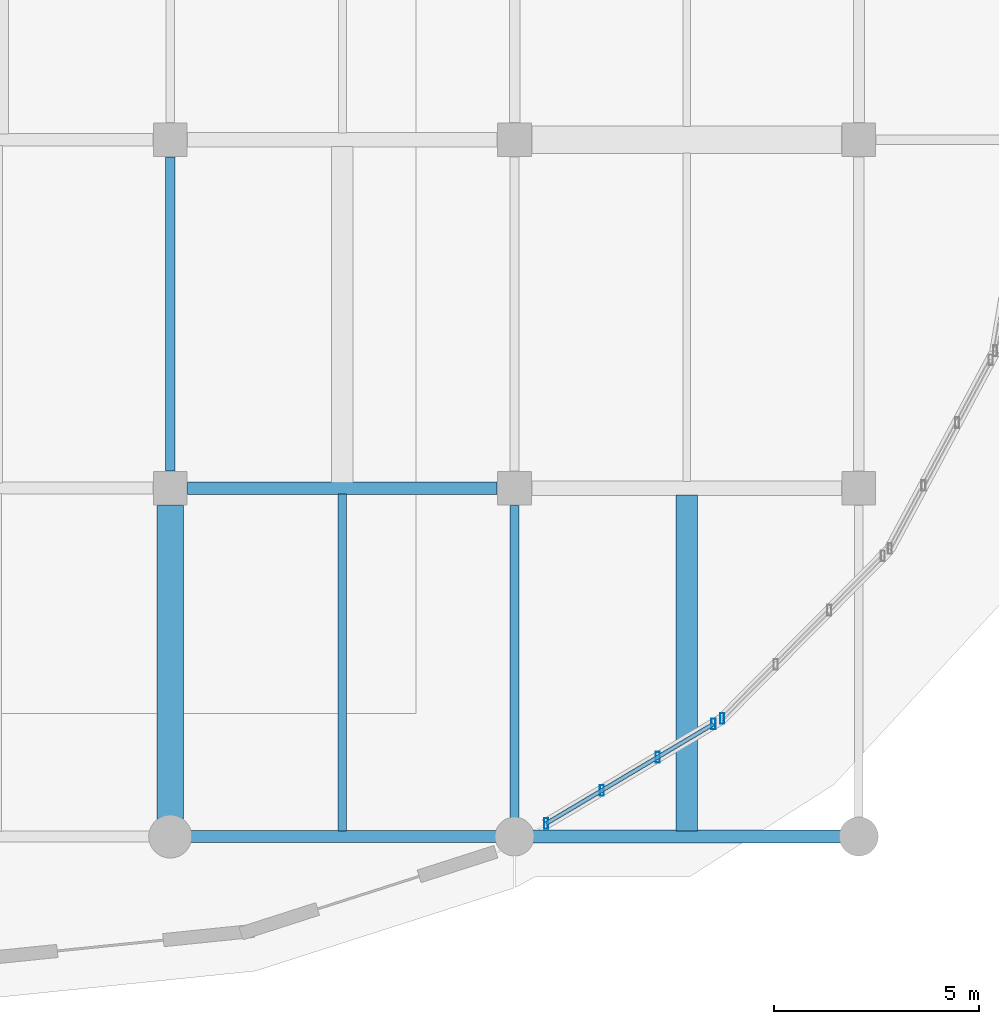
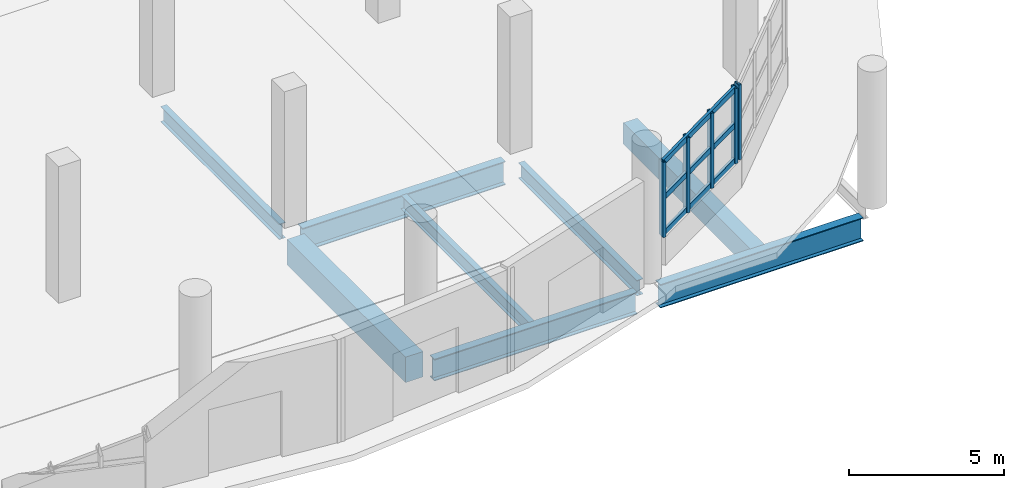
# One storey, part 13 of 107: 8 beams, 8 members, 2 elements without a shape of their own.
"""IFC4 building model written with IfcOpenShell, lengths in metres."""

import ifcopenshell
import ifcopenshell.guid

model = None  # the IFC model being written
_history = None  # IfcOwnerHistory: only IFC2X3 demands one
_inside = {}  # id of a spatial element -> (the spatial element, [elements in it])
_under = {}  # id of a project, library or spatial element -> (it, [spatial elements below it])
_declared = {}  # id of a project -> (the project, [libraries it declares])
_typed = {}  # id of a type object -> (the type object, [elements of that type])
_made_of = {}  # id of a material, layer set ... -> (it, [elements and type objects made of it])


def new_model(schema):
    """Start an empty IFC model of exactly this schema.

    Asked for "IFC4X3", IfcOpenShell would pick the latest addendum, in which some entities
    have other attributes; the version numbers below select the first issue.
    IFC2X3 requires an IfcOwnerHistory on every rooted entity: one is made here for all.
    """
    global model, _history
    if schema == "IFC4X3":
        model = ifcopenshell.file(schema_version=(4, 3, 0, 0))
    else:
        model = ifcopenshell.file(schema=schema)
    _inside.clear()
    _under.clear()
    _declared.clear()
    _typed.clear()
    _made_of.clear()
    _history = None
    if model.schema == "IFC2X3":
        org = make("IfcOrganization", Name="unknown")
        user = make(
            "IfcPersonAndOrganization",
            ThePerson=make("IfcPerson", FamilyName="unknown"),
            TheOrganization=org,
        )
        app = make(
            "IfcApplication",
            ApplicationDeveloper=org,
            Version="unknown",
            ApplicationFullName="unknown",
            ApplicationIdentifier="unknown",
        )
        _history = make(
            "IfcOwnerHistory",
            OwningUser=user,
            OwningApplication=app,
            ChangeAction="ADDED",
            CreationDate=0,
        )
    return model


def make(cls, **values):
    """One entity of the class cls with the attributes given. An attribute that is None is left unset."""
    return model.create_entity(
        cls, **{name: value for name, value in values.items() if value is not None}
    )


def rooted(cls, **values):
    """An entity with a GlobalId (a new one), such as an element, a storey or a relation."""
    return make(cls, GlobalId=ifcopenshell.guid.new(), OwnerHistory=_history, **values)


def si_unit(unit_type, name, prefix=None):
    """IfcSIUnit, for example si_unit("LENGTHUNIT", "METRE", prefix="MILLI")."""
    return make("IfcSIUnit", UnitType=unit_type, Prefix=prefix, Name=name)


def assignment(units):
    """IfcUnitAssignment: the units of a project."""
    return None if units is None else make("IfcUnitAssignment", Units=units)


def point(xyz):
    """IfcCartesianPoint."""
    return None if xyz is None else make("IfcCartesianPoint", Coordinates=xyz)


def direction(xyz):
    """IfcDirection."""
    return None if xyz is None else make("IfcDirection", DirectionRatios=xyz)


def frame(location, z_axis=None, x_axis=None):
    """IfcAxis2Placement3D, a coordinate frame: its origin and axes. An axis left out is left unset."""
    return make(
        "IfcAxis2Placement3D",
        Location=point(location),
        Axis=direction(z_axis),
        RefDirection=direction(x_axis),
    )


def frame_2d(location, x_axis=None):
    """IfcAxis2Placement2D, a coordinate frame in the plane: its origin and x axis."""
    return make(
        "IfcAxis2Placement2D", Location=point(location), RefDirection=direction(x_axis)
    )


def origin():
    """The frame at (0, 0, 0) with its axes left unset."""
    return frame((0.0, 0.0, 0.0))


def origin_2d():
    """The frame at (0, 0) in the plane with its x axis left unset."""
    return frame_2d((0.0, 0.0))


def place(relative_to, where):
    """IfcLocalPlacement: puts the frame where relative to a parent placement (None: the world)."""
    return make(
        "IfcLocalPlacement", PlacementRelTo=relative_to, RelativePlacement=where
    )


def context(
    kind, dimensions, precision=None, world=None, true_north=None, identifier=None
):
    """IfcGeometricRepresentationContext, for example the 3D "Model" context."""
    return make(
        "IfcGeometricRepresentationContext",
        ContextIdentifier=identifier,
        ContextType=kind,
        CoordinateSpaceDimension=dimensions,
        Precision=precision,
        WorldCoordinateSystem=world,
        TrueNorth=true_north,
    )


def subcontext(parent, identifier, kind, view, scale=None):
    """IfcGeometricRepresentationSubContext, for example "Body" below "Model"."""
    return make(
        "IfcGeometricRepresentationSubContext",
        ContextIdentifier=identifier,
        ContextType=kind,
        ParentContext=parent,
        TargetScale=scale,
        TargetView=view,
    )


def project(units=None, contexts=None):
    """IfcProject with its units and contexts."""
    return rooted(
        "IfcProject",
        Name="project",
        RepresentationContexts=contexts,
        UnitsInContext=assignment(units),
    )


def spatial(cls, under=None, at=None, **own):
    """A site, building, storey or space (cls), placed at a placement, below another one or the project."""
    s = rooted(cls, ObjectPlacement=at, **own)
    if under is not None:
        _under.setdefault(under.id(), (under, []))[1].append(s)
    return s


def profile(cls, at=None, kind="AREA", **sizes):
    """A parametric profile (cls). Its sizes go by their IFC names, for example OverallWidth=200.0."""
    return make(cls, ProfileType=kind, Position=at, **sizes)


def rectangle(**sizes):
    """IfcRectangleProfileDef."""
    return profile("IfcRectangleProfileDef", **sizes)


def hollow_rectangle(**sizes):
    """IfcRectangleHollowProfileDef."""
    return profile("IfcRectangleHollowProfileDef", **sizes)


def i_section(**sizes):
    """IfcIShapeProfileDef."""
    return profile("IfcIShapeProfileDef", **sizes)


def extrude(swept, where, along, depth):
    """IfcExtrudedAreaSolid: the profile swept, set in the frame where, extruded along a direction by depth."""
    return make(
        "IfcExtrudedAreaSolid",
        SweptArea=swept,
        Position=where,
        ExtrudedDirection=direction(along),
        Depth=depth,
    )


def shape(context_of_items, identifier, shape_type, items):
    """IfcShapeRepresentation: the items that make up one representation, for example the "Body"."""
    return make(
        "IfcShapeRepresentation",
        ContextOfItems=context_of_items,
        RepresentationIdentifier=identifier,
        RepresentationType=shape_type,
        Items=items,
    )


def material(Name=None, Category=None):
    """IfcMaterial."""
    return make("IfcMaterial", Name=Name, Category=Category)


def material_profile(
    of_material, cross_section, Name=None, Category=None, Priority=None
):
    """IfcMaterialProfile: a cross section and its material."""
    return make(
        "IfcMaterialProfile",
        Name=Name,
        Material=of_material,
        Profile=cross_section,
        Priority=Priority,
        Category=Category,
    )


def profile_set(profiles, Name=None, composite=None):
    """IfcMaterialProfileSet."""
    return make(
        "IfcMaterialProfileSet",
        Name=Name,
        MaterialProfiles=profiles,
        CompositeProfile=composite,
    )


def made_of(thing, what):
    """Note that an element or type object is made of a material, layer set ...; save() writes the relation."""
    if what is not None:
        _made_of.setdefault(what.id(), (what, []))[1].append(thing)
    return thing


def type_object(cls, material=None, **own):
    """A type object (cls), such as IfcWallType, which elements share."""
    return made_of(rooted(cls, **own), material)


def element(
    cls,
    number,
    at=None,
    inside=None,
    cuts=None,
    type_object=None,
    material=None,
    context=None,
    identifier="Body",
    shape_type=None,
    held_by="IfcProductDefinitionShape",
    body=None,
    shapes=None,
    **own,
):
    """One element of the class cls, such as IfcWall. Its Tag is "e" and its number.

    at: its placement. inside: the storey or other place that contains it. cuts: it is an
    opening in that element (IfcRelVoidsElement). A single representation is given by context,
    identifier, shape_type and body (its items); several are given by shapes. held_by: the class
    of the entity that holds the representations. save() writes the other relations.
    """
    e = rooted(cls, Tag="e%d" % number, ObjectPlacement=at, **own)
    if body is not None:
        shapes = [shape(context, identifier, shape_type, body)]
    if shapes is not None:
        e.Representation = make(held_by, Representations=shapes)
    if inside is not None:
        _inside.setdefault(inside.id(), (inside, []))[1].append(e)
    if cuts is not None:
        rooted(
            "IfcRelVoidsElement", RelatingBuildingElement=cuts, RelatedOpeningElement=e
        )
    if type_object is not None:
        _typed.setdefault(type_object.id(), (type_object, []))[1].append(e)
    return made_of(e, material)


def aggregate(whole, parts):
    """IfcRelAggregates: a whole, such as a stair, and the parts it consists of."""
    return rooted("IfcRelAggregates", RelatingObject=whole, RelatedObjects=parts)


def save(model, path):
    """Write the relations noted so far, then the file.

    IfcRelAggregates (storeys below a building ...), IfcRelContainedInSpatialStructure (elements
    in a storey), IfcRelDefinesByType, IfcRelAssociatesMaterial and IfcRelDeclares: one each for
    every whole, place, type object, material and project.
    """
    for whole, parts in _under.values():
        aggregate(whole, parts)
    for where, things in _inside.values():
        rooted(
            "IfcRelContainedInSpatialStructure",
            RelatedElements=things,
            RelatingStructure=where,
        )
    for kind, things in _typed.values():
        rooted("IfcRelDefinesByType", RelatedObjects=things, RelatingType=kind)
    for what, things in _made_of.values():
        rooted("IfcRelAssociatesMaterial", RelatedObjects=things, RelatingMaterial=what)
    for by, libraries in _declared.values():
        rooted("IfcRelDeclares", RelatingContext=by, RelatedDefinitions=libraries)
    model.write(path)


model = new_model("IFC4")

# Units and contexts
model_context = context("Model", 3, precision=1e-05, world=origin(), true_north=direction((0.0, 1.0)))
body_context = subcontext(model_context, "Body", "Model", "MODEL_VIEW")
ifc_project = project(units=[si_unit("LENGTHUNIT", "METRE"), si_unit("AREAUNIT", "SQUARE_METRE"), si_unit("VOLUMEUNIT", "CUBIC_METRE"), si_unit("PLANEANGLEUNIT", "RADIAN"), si_unit("MASSUNIT", "GRAM", prefix="KILO")], contexts=[model_context])

# Site, building, storey
site_placement = place(None, origin())
site = spatial("IfcSite", under=ifc_project, at=site_placement, CompositionType="ELEMENT")
building_placement = place(site_placement, origin())
building = spatial("IfcBuilding", under=site, at=building_placement, Name="Solvento Point Concert Hall", CompositionType="ELEMENT")
storey_placement = place(building_placement, origin())
storey = spatial("IfcBuildingStorey", under=building, at=storey_placement, Name="L00", CompositionType="ELEMENT", Elevation=0.0)

# Beams
ifc_material_1 = material(Name="Concrete C35/45", Category="concrete")
ifc_material_profile_1 = material_profile(ifc_material_1, rectangle(XDim=0.52001953125, YDim=0.840087890625, at=origin_2d()), Name="RC-BM-520X840")
ifc_profile_set_1 = profile_set([ifc_material_profile_1], Name="Concrete C35/45")
beam_type_1 = type_object("IfcBeamType", Name="Beam_RC_520x840", PredefinedType="BEAM", material=ifc_profile_set_1)
beam_1_placement = place(storey_placement, frame((78.60009765625, 17.138671875, -0.833984375), z_axis=(0.0, 1.0, 0.0), x_axis=(-1.0, 0.0, 0.0)))
element("IfcBeam", 1, at=beam_1_placement, inside=storey, type_object=beam_type_1, Name="Secondary floor joist B-54 L00", PredefinedType="BEAM", context=body_context, shape_type="SweptSolid", body=[
    extrude(rectangle(XDim=0.52001953125, YDim=0.840087890625, at=origin_2d()), origin(), (0.0, 0.0, 1.0), 8.19580078125),
])
ifc_material_2 = material(Name="Structural Steel ASTM A992 Grade 50", Category="steel")
ifc_material_profile_2 = material_profile(ifc_material_2, i_section(OverallWidth=0.20947265625, OverallDepth=0.532958984375, WebThickness=0.01025390625, FlangeThickness=0.015625, at=origin_2d()), Name="W21X62")
ifc_profile_set_2 = profile_set([ifc_material_profile_2], Name="Structural Steel ASTM A992 Grade 50")
beam_type_2 = type_object("IfcBeamType", Name="Beam_W21X62", PredefinedType="BEAM", material=ifc_profile_set_2)
beam_2_placement = place(storey_placement, frame((70.199951171875, 17.131103515625, -0.680419921875), z_axis=(0.0, 1.0, 0.0), x_axis=(-1.0, 0.0, 0.0)))
element("IfcBeam", 2, at=beam_2_placement, inside=storey, type_object=beam_type_2, Name="Secondary floor joist B-25 L00", PredefinedType="BEAM", context=body_context, shape_type="SweptSolid", body=[
    extrude(i_section(OverallWidth=0.20947265625, OverallDepth=0.532958984375, WebThickness=0.01025390625, FlangeThickness=0.015625, at=origin_2d()), origin(), (0.0, 0.0, 1.0), 8.230224609375),
])
ifc_material_3 = material(Name="Structural Steel ASTM A992 Grade 50", Category="steel")
ifc_material_profile_3 = material_profile(ifc_material_3, i_section(OverallWidth=0.228515625, OverallDepth=0.60791015625, WebThickness=0.01123046875, FlangeThickness=0.017333984375, at=origin_2d()), Name="W24X76")
ifc_profile_set_3 = profile_set([ifc_material_profile_3], Name="Structural Steel ASTM A992 Grade 50")
beam_type_3 = type_object("IfcBeamType", Name="Beam_W24X76", PredefinedType="BEAM", material=ifc_profile_set_3)
for number, where, z_axis, x_axis, name in (
    (3, (66.0, 25.924072265625, -0.718017578125), (0.0, 1.0, 0.0), (-1.0, 0.0, 0.0), "Primary girder B-42 L00"),
    (4, (74.39990234375, 17.424072265625, -0.718017578125), (0.0, 1.0, 0.0), (-1.0, 0.0, 0.0), "Primary girder B-42 L00"),
):
    element("IfcBeam", number, at=place(storey_placement, frame(where, z_axis=z_axis, x_axis=x_axis)), inside=storey, type_object=beam_type_3, Name=name, PredefinedType="BEAM", context=body_context, shape_type="SweptSolid", body=[
        extrude(i_section(OverallWidth=0.228515625, OverallDepth=0.60791015625, WebThickness=0.01123046875, FlangeThickness=0.017333984375, at=origin_2d()), origin(), (0.0, 0.0, 1.0), 7.65185546875),
    ])
ifc_material_4 = material(Name="Concrete C35/45", Category="concrete")
ifc_material_profile_4 = material_profile(ifc_material_4, rectangle(XDim=0.64990234375, YDim=1.0, at=origin_2d()), Name="RC-BM-650X1000")
ifc_profile_set_4 = profile_set([ifc_material_profile_4], Name="Concrete C35/45")
beam_type_4 = type_object("IfcBeamType", Name="Girder_RC_650x1000", PredefinedType="USERDEFINED", material=ifc_profile_set_4)
beam_3_placement = place(storey_placement, frame((66.0, 17.424072265625, -0.9140625), z_axis=(0.0, 1.0, 0.0), x_axis=(-1.0, 0.0, 0.0)))
element("IfcBeam", 5, at=beam_3_placement, inside=storey, type_object=beam_type_4, Name="Primary girder B-67 L00", ObjectType="GIRDER", PredefinedType="USERDEFINED", context=body_context, shape_type="SweptSolid", body=[
    extrude(rectangle(XDim=0.64990234375, YDim=1.0, at=origin_2d()), origin(), (0.0, 0.0, 1.0), 7.65185546875),
])
ifc_material_5 = material(Name="Structural Steel ASTM A992 Grade 50", Category="steel")
ifc_material_profile_5 = material_profile(ifc_material_5, i_section(OverallWidth=0.2919921875, OverallDepth=0.85888671875, WebThickness=0.01708984375, FlangeThickness=0.031005859375, at=origin_2d()), Name="W33X169")
ifc_profile_set_5 = profile_set([ifc_material_profile_5], Name="Structural Steel ASTM A992 Grade 50")
beam_type_5 = type_object("IfcBeamType", Name="Girder_W33X169", PredefinedType="USERDEFINED", material=ifc_profile_set_5)
beam_4_placement = place(storey_placement, frame((66.424072265625, 17.0, -0.843505859375), z_axis=(1.0, 0.0, 0.0), x_axis=(0.0, 1.0, 0.0)))
element("IfcBeam", 6, at=beam_4_placement, inside=storey, type_object=beam_type_5, Name="Primary girder B-33 L00", ObjectType="GIRDER", PredefinedType="USERDEFINED", context=body_context, shape_type="SweptSolid", body=[
    extrude(i_section(OverallWidth=0.2919921875, OverallDepth=0.85888671875, WebThickness=0.01708984375, FlangeThickness=0.031005859375, at=origin_2d()), origin(), (0.0, 0.0, 1.0), 7.552001953125),
])
ifc_material_6 = material(Name="Structural Steel ASTM A992 Grade 50", Category="steel")
ifc_material_profile_6 = material_profile(ifc_material_6, i_section(OverallWidth=0.3076171875, OverallDepth=0.927001953125, WebThickness=0.019287109375, FlangeThickness=0.031982421875, at=origin_2d()), Name="W36X194")
ifc_profile_set_6 = profile_set([ifc_material_profile_6], Name="Structural Steel ASTM A992 Grade 50")
beam_type_6 = type_object("IfcBeamType", Name="Girder_W36X194", PredefinedType="USERDEFINED", material=ifc_profile_set_6)
for number, where, z_axis, x_axis, name in (
    (7, (74.823974609375, 17.0, -0.87744140625), (1.0, 0.0, 0.0), (0.0, 1.0, 0.0), "Primary girder B-61 L00"),
    (8, (66.424072265625, 25.5, -0.87744140625), (1.0, 0.0, 0.0), (0.0, 1.0, 0.0), "Primary girder B-61 L00"),
):
    element("IfcBeam", number, at=place(storey_placement, frame(where, z_axis=z_axis, x_axis=x_axis)), inside=storey, type_object=beam_type_6, Name=name, ObjectType="GIRDER", PredefinedType="USERDEFINED", context=body_context, shape_type="SweptSolid", body=[
        extrude(i_section(OverallWidth=0.3076171875, OverallDepth=0.927001953125, WebThickness=0.019287109375, FlangeThickness=0.031982421875, at=origin_2d()), origin(), (0.0, 0.0, 1.0), 7.552001953125),
    ])

# Curtain wall, member
ifc_material_7 = material(Name="Anodized Bronze Aluminium", Category="aluminium")
curtain_wall_type = type_object("IfcCurtainWallType", Name="CurtainWall_FoyerL00", PredefinedType="USERDEFINED", material=ifc_material_7)
curtain_wall_1_placement = place(storey_placement, origin())
curtain_wall_1 = element("IfcCurtainWall", 9, at=curtain_wall_1_placement, inside=storey, type_object=curtain_wall_type, Name="Unitised curtain wall CW-29 UCW-L00-018", ObjectType="UNITISED CURTAIN WALL", PredefinedType="USERDEFINED")
ifc_material_8 = material(Name="Anodized Bronze Aluminium", Category="aluminium")
ifc_material_profile_7 = material_profile(ifc_material_8, hollow_rectangle(XDim=0.10009765625, YDim=0.260009765625, WallThickness=0.0048828125, at=origin_2d()), Name="CW-MUL-100X260")
ifc_profile_set_7 = profile_set([ifc_material_profile_7], Name="Anodized Bronze Aluminium")
member_type_1 = type_object("IfcMemberType", Name="Mullion_100x260", PredefinedType="MULLION", material=ifc_profile_set_7)
member_1_placement = place(storey_placement, frame((79.464599609375, 19.879150390625, 1.1201171875), z_axis=(0.0, 0.0, 1.0), x_axis=(1.0, 0.0, 0.0)))
member_1 = element("IfcMember", 10, at=member_1_placement, type_object=member_type_1, Name="Curtain wall mullion ML-03", PredefinedType="MULLION", context=body_context, shape_type="SweptSolid", body=[
    extrude(hollow_rectangle(XDim=0.10009765625, YDim=0.260009765625, WallThickness=0.0048828125, at=origin_2d()), origin(), (0.0, 0.0, 1.0), 2.94189453125),
])
aggregate(curtain_wall_1, [member_1])

# Curtain wall, members
curtain_wall_2_placement = place(storey_placement, origin())
curtain_wall_2 = element("IfcCurtainWall", 11, at=curtain_wall_2_placement, inside=storey, type_object=curtain_wall_type, Name="Unitised curtain wall CW-29 UCW-L00-019", ObjectType="UNITISED CURTAIN WALL", PredefinedType="USERDEFINED")
member_2_placement = place(storey_placement, frame((79.25439453125, 19.745361328125, 1.1201171875), z_axis=(0.0, 0.0, 1.0), x_axis=(1.0, 0.0, 0.0)))
member_2 = element("IfcMember", 12, at=member_2_placement, type_object=member_type_1, Name="Curtain wall mullion ML-03", PredefinedType="MULLION", context=body_context, shape_type="SweptSolid", body=[
    extrude(hollow_rectangle(XDim=0.10009765625, YDim=0.260009765625, WallThickness=0.0048828125, at=origin_2d()), origin(), (0.0, 0.0, 1.0), 2.957763671875),
])
member_3_placement = place(storey_placement, frame((77.89306640625, 18.935791015625, 1.1201171875), z_axis=(0.0, 0.0, 1.0), x_axis=(1.0, 0.0, 0.0)))
member_3 = element("IfcMember", 13, at=member_3_placement, type_object=member_type_1, Name="Curtain wall mullion ML-03", PredefinedType="MULLION", context=body_context, shape_type="SweptSolid", body=[
    extrude(hollow_rectangle(XDim=0.10009765625, YDim=0.260009765625, WallThickness=0.0048828125, at=origin_2d()), origin(), (0.0, 0.0, 1.0), 2.957763671875),
])
member_4_placement = place(storey_placement, frame((76.531982421875, 18.126220703125, 1.1201171875), z_axis=(0.0, 0.0, 1.0), x_axis=(1.0, 0.0, 0.0)))
member_4 = element("IfcMember", 14, at=member_4_placement, type_object=member_type_1, Name="Curtain wall mullion ML-03", PredefinedType="MULLION", context=body_context, shape_type="SweptSolid", body=[
    extrude(hollow_rectangle(XDim=0.10009765625, YDim=0.260009765625, WallThickness=0.0048828125, at=origin_2d()), origin(), (0.0, 0.0, 1.0), 2.957763671875),
])
member_5_placement = place(storey_placement, frame((75.1708984375, 17.31640625, 1.1201171875), z_axis=(0.0, 0.0, 1.0), x_axis=(1.0, 0.0, 0.0)))
member_5 = element("IfcMember", 15, at=member_5_placement, type_object=member_type_1, Name="Curtain wall mullion ML-03", PredefinedType="MULLION", context=body_context, shape_type="SweptSolid", body=[
    extrude(hollow_rectangle(XDim=0.10009765625, YDim=0.260009765625, WallThickness=0.0048828125, at=origin_2d()), origin(), (0.0, 0.0, 1.0), 2.957763671875),
])
ifc_material_9 = material(Name="Anodized Bronze Aluminium", Category="aluminium")
ifc_material_profile_8 = material_profile(ifc_material_9, hollow_rectangle(XDim=0.10009765625, YDim=0.2099609375, WallThickness=0.0048828125, at=origin_2d()), Name="CW-TRN-100X210")
ifc_profile_set_8 = profile_set([ifc_material_profile_8], Name="Anodized Bronze Aluminium")
member_type_2 = type_object("IfcMemberType", Name="Transom_100x210", PredefinedType="USERDEFINED", material=ifc_profile_set_8)
member_6_placement = place(storey_placement, frame((79.25439453125, 19.745361328125, 1.199951171875), z_axis=(-0.85944985676, -0.511220054102, 0.0), x_axis=(0.511220054102, -0.85944985676, 0.0)))
member_6 = element("IfcMember", 16, at=member_6_placement, type_object=member_type_2, Name="Curtain wall transom TR-03", ObjectType="TRANSOM", PredefinedType="USERDEFINED", context=body_context, shape_type="SweptSolid", body=[
    extrude(hollow_rectangle(XDim=0.10009765625, YDim=0.2099609375, WallThickness=0.0048828125, at=origin_2d()), origin(), (0.0, 0.0, 1.0), 4.751220703125),
])
member_7_placement = place(storey_placement, frame((79.25439453125, 19.745361328125, 2.59912109375), z_axis=(-0.85944985676, -0.511220054102, 0.0), x_axis=(0.511220054102, -0.85944985676, 0.0)))
member_7 = element("IfcMember", 17, at=member_7_placement, type_object=member_type_2, Name="Curtain wall transom TR-03", ObjectType="TRANSOM", PredefinedType="USERDEFINED", context=body_context, shape_type="SweptSolid", body=[
    extrude(hollow_rectangle(XDim=0.10009765625, YDim=0.2099609375, WallThickness=0.0048828125, at=origin_2d()), origin(), (0.0, 0.0, 1.0), 4.751220703125),
])
member_8_placement = place(storey_placement, frame((79.25439453125, 19.745361328125, 3.998046875), z_axis=(-0.85944985676, -0.511220054102, 0.0), x_axis=(0.511220054102, -0.85944985676, 0.0)))
member_8 = element("IfcMember", 18, at=member_8_placement, type_object=member_type_2, Name="Curtain wall transom TR-03", ObjectType="TRANSOM", PredefinedType="USERDEFINED", context=body_context, shape_type="SweptSolid", body=[
    extrude(hollow_rectangle(XDim=0.10009765625, YDim=0.2099609375, WallThickness=0.0048828125, at=origin_2d()), origin(), (0.0, 0.0, 1.0), 4.751220703125),
])
aggregate(curtain_wall_2, [member_2, member_3, member_4, member_5, member_6, member_7, member_8])

save(model, "model.ifc")
